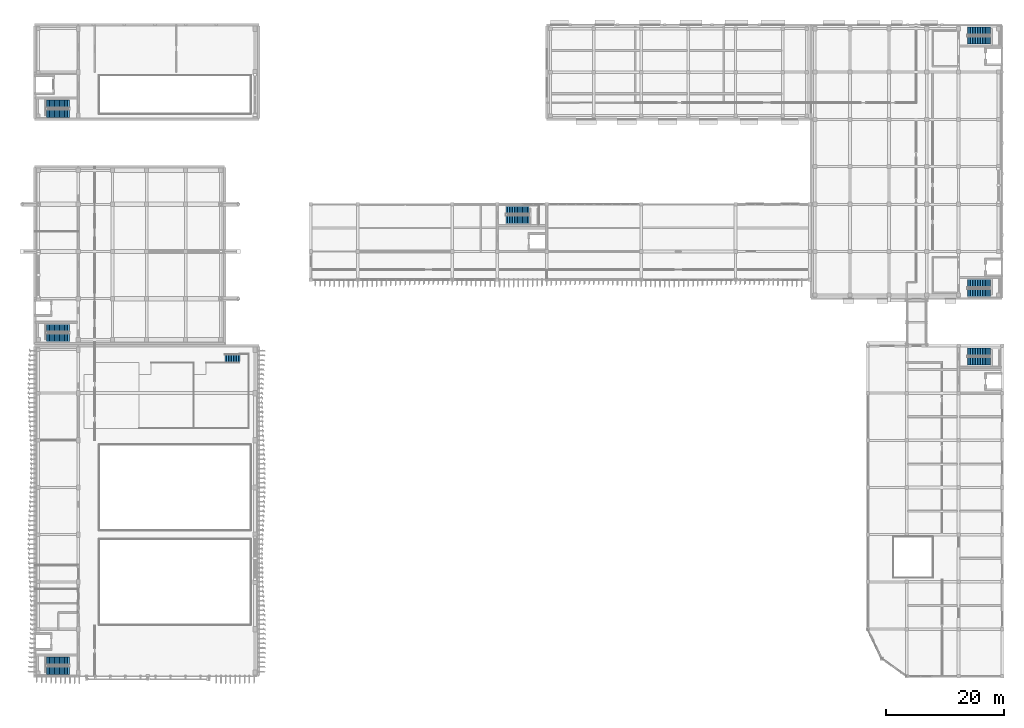
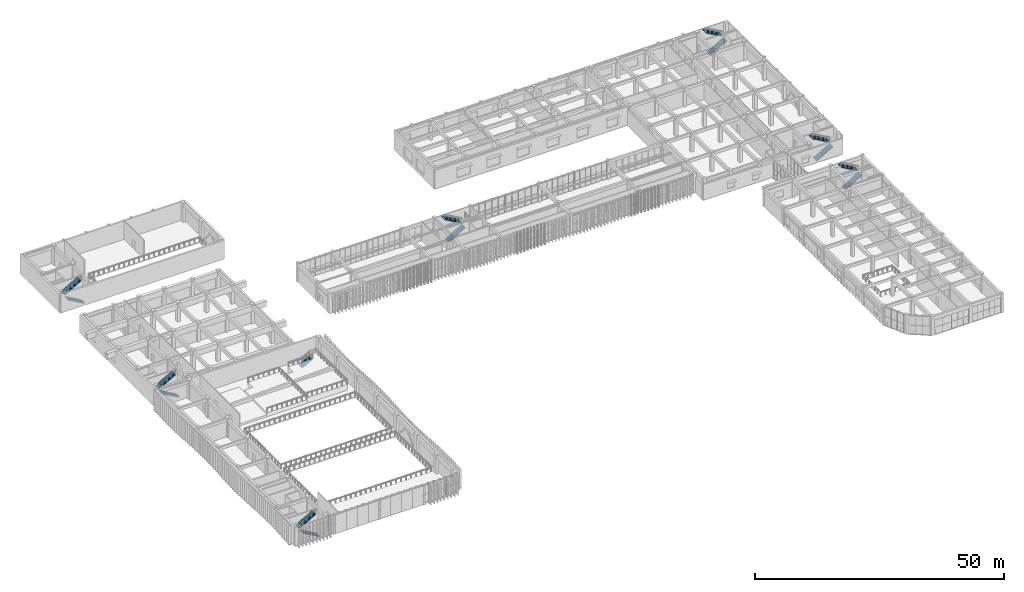
# One storey, part 46 of 64: 15 stair flights, 8 elements without a shape of their own.
"""IFC4 building model written with IfcOpenShell, lengths in metres."""

from ifc_helpers import new_model, si_unit, direction, frame, origin, place, context, subcontext, project, spatial, polyline, outline, extrude, material, type_object, element, aggregate, save


model = new_model("IFC4")

# Units and contexts
model_context = context("Model", 3, precision=1e-05, world=origin(), true_north=direction((0.0, 1.0)))
body_context = subcontext(model_context, "Body", "Model", "MODEL_VIEW")
ifc_project = project(units=[si_unit("LENGTHUNIT", "METRE"), si_unit("AREAUNIT", "SQUARE_METRE"), si_unit("VOLUMEUNIT", "CUBIC_METRE"), si_unit("PLANEANGLEUNIT", "RADIAN"), si_unit("MASSUNIT", "GRAM", prefix="KILO")], contexts=[model_context])

# Site, building, storey
site_placement = place(None, origin())
site = spatial("IfcSite", under=ifc_project, at=site_placement, CompositionType="ELEMENT")
building_placement = place(site_placement, origin())
building = spatial("IfcBuilding", under=site, at=building_placement, Name="Cinchona Park Media Centre", CompositionType="ELEMENT")
storey_placement = place(building_placement, frame((0.0, 0.0, 5.39990234375)))
storey = spatial("IfcBuildingStorey", under=building, at=storey_placement, Name="L01", CompositionType="ELEMENT", Elevation=5.39990234375)

# Stair, stair flights
ifc_material_1 = material(Name="Concrete C35/45", Category="concrete")
stair_type_1 = type_object("IfcStairType", Name="STAIR-ST1-HT48", PredefinedType="HALF_TURN_STAIR", material=ifc_material_1)
stair_1_placement = place(storey_placement, origin())
stair_1 = element("IfcStair", 1, at=stair_1_placement, inside=storey, type_object=stair_type_1, Name="Exit Stair ST1 L01", PredefinedType="HALF_TURN_STAIR")
ifc_material_2 = material(Name="Concrete C35/45", Category="concrete")
stair_flight_type_1 = type_object("IfcStairFlightType", Name="FLIGHT-ST1", PredefinedType="STRAIGHT", material=ifc_material_2)
stair_flight_1_placement = place(storey_placement, frame((166.10009765625, 72.6201171875, 0.0), z_axis=(0.0, 0.0, 1.0), x_axis=(1.0, 0.0, 0.0)))
stair_flight_1 = element("IfcStairFlight", 2, at=stair_flight_1_placement, type_object=stair_flight_type_1, Name="ST1 flight 1", NumberOfRisers=15, NumberOfTreads=14, PredefinedType="STRAIGHT", RiserHeight=0.16, TreadLength=0.28, context=body_context, shape_type="SweptSolid", body=[
    extrude(outline(polyline([(0.0, 0.0), (0.0, 0.159912109375), (0.280029296875, 0.159912109375), (0.280029296875, 0.320068359375), (0.56005859375, 0.320068359375), (0.56005859375, 0.47998046875), (0.840087890625, 0.47998046875), (0.840087890625, 0.639892578125), (1.1201171875, 0.639892578125), (1.1201171875, 0.800048828125), (1.39990234375, 0.800048828125), (1.39990234375, 0.9599609375), (1.679931640625, 0.9599609375), (1.679931640625, 1.1201171875), (1.9599609375, 1.1201171875), (1.9599609375, 1.280029296875), (2.239990234375, 1.280029296875), (2.239990234375, 1.43994140625), (2.52001953125, 1.43994140625), (2.52001953125, 1.60009765625), (2.800048828125, 1.60009765625), (2.800048828125, 1.760009765625), (3.080078125, 1.760009765625), (3.080078125, 1.919921875), (3.360107421875, 1.919921875), (3.360107421875, 2.080078125), (3.639892578125, 2.080078125), (3.639892578125, 2.239990234375), (3.919921875, 2.239990234375), (3.919921875, 2.39990234375), (3.919921875, 2.055908203125), (0.322265625, 0.0), (0.0, 0.0)])), frame((0.0, 0.68017578125, 0.0), z_axis=(0.0, -1.0, 0.0), x_axis=(1.0, 0.0, 0.0)), (0.0, 0.0, 1.0), 1.360107421875),
])
stair_flight_2_placement = place(storey_placement, frame((170.02001953125, 74.179931640625, 2.400146484375), z_axis=(0.0, 0.0, 1.0), x_axis=(-1.0, 0.0, 0.0)))
stair_flight_2 = element("IfcStairFlight", 3, at=stair_flight_2_placement, type_object=stair_flight_type_1, Name="ST1 flight 2", NumberOfRisers=15, NumberOfTreads=14, PredefinedType="STRAIGHT", RiserHeight=0.16, TreadLength=0.28, context=body_context, shape_type="SweptSolid", body=[
    extrude(outline(polyline([(0.0, 0.0), (0.0, 0.159912109375), (0.280029296875, 0.159912109375), (0.280029296875, 0.320068359375), (0.56005859375, 0.320068359375), (0.56005859375, 0.47998046875), (0.840087890625, 0.47998046875), (0.840087890625, 0.639892578125), (1.1201171875, 0.639892578125), (1.1201171875, 0.800048828125), (1.39990234375, 0.800048828125), (1.39990234375, 0.9599609375), (1.679931640625, 0.9599609375), (1.679931640625, 1.1201171875), (1.9599609375, 1.1201171875), (1.9599609375, 1.280029296875), (2.239990234375, 1.280029296875), (2.239990234375, 1.43994140625), (2.52001953125, 1.43994140625), (2.52001953125, 1.60009765625), (2.800048828125, 1.60009765625), (2.800048828125, 1.760009765625), (3.080078125, 1.760009765625), (3.080078125, 1.919921875), (3.360107421875, 1.919921875), (3.360107421875, 2.080078125), (3.639892578125, 2.080078125), (3.639892578125, 2.239990234375), (3.919921875, 2.239990234375), (3.919921875, 2.39990234375), (3.919921875, 2.055908203125), (0.322265625, 0.0), (0.0, 0.0)])), frame((0.0, 0.68017578125, 0.0), z_axis=(0.0, -1.0, 0.0), x_axis=(1.0, 0.0, 0.0)), (0.0, 0.0, 1.0), 1.360107421875),
])
aggregate(stair_1, [stair_flight_1, stair_flight_2])

ifc_material_3 = material(Name="Concrete C35/45", Category="concrete")
stair_type_2 = type_object("IfcStairType", Name="STAIR-ST2-HT48", PredefinedType="HALF_TURN_STAIR", material=ifc_material_3)
stair_2_placement = place(storey_placement, origin())
stair_2 = element("IfcStair", 4, at=stair_2_placement, inside=storey, type_object=stair_type_2, Name="Exit Stair ST2 L01", PredefinedType="HALF_TURN_STAIR")
ifc_material_4 = material(Name="Concrete C35/45", Category="concrete")
stair_flight_type_2 = type_object("IfcStairFlightType", Name="FLIGHT-ST2", PredefinedType="STRAIGHT", material=ifc_material_4)
stair_flight_3_placement = place(storey_placement, frame((166.10009765625, 115.419921875, 0.0), z_axis=(0.0, 0.0, 1.0), x_axis=(1.0, 0.0, 0.0)))
stair_flight_3 = element("IfcStairFlight", 5, at=stair_flight_3_placement, type_object=stair_flight_type_2, Name="ST2 flight 1", NumberOfRisers=15, NumberOfTreads=14, PredefinedType="STRAIGHT", RiserHeight=0.16, TreadLength=0.28, context=body_context, shape_type="SweptSolid", body=[
    extrude(outline(polyline([(0.0, 0.0), (0.0, 0.159912109375), (0.280029296875, 0.159912109375), (0.280029296875, 0.320068359375), (0.56005859375, 0.320068359375), (0.56005859375, 0.47998046875), (0.840087890625, 0.47998046875), (0.840087890625, 0.639892578125), (1.1201171875, 0.639892578125), (1.1201171875, 0.800048828125), (1.39990234375, 0.800048828125), (1.39990234375, 0.9599609375), (1.679931640625, 0.9599609375), (1.679931640625, 1.1201171875), (1.9599609375, 1.1201171875), (1.9599609375, 1.280029296875), (2.239990234375, 1.280029296875), (2.239990234375, 1.43994140625), (2.52001953125, 1.43994140625), (2.52001953125, 1.60009765625), (2.800048828125, 1.60009765625), (2.800048828125, 1.760009765625), (3.080078125, 1.760009765625), (3.080078125, 1.919921875), (3.360107421875, 1.919921875), (3.360107421875, 2.080078125), (3.639892578125, 2.080078125), (3.639892578125, 2.239990234375), (3.919921875, 2.239990234375), (3.919921875, 2.39990234375), (3.919921875, 2.055908203125), (0.322265625, 0.0), (0.0, 0.0)])), frame((0.0, 0.68017578125, 0.0), z_axis=(0.0, -1.0, 0.0), x_axis=(1.0, 0.0, 0.0)), (0.0, 0.0, 1.0), 1.360107421875),
])
stair_flight_4_placement = place(storey_placement, frame((170.02001953125, 116.97998046875, 2.400146484375), z_axis=(0.0, 0.0, 1.0), x_axis=(-1.0, 0.0, 0.0)))
stair_flight_4 = element("IfcStairFlight", 6, at=stair_flight_4_placement, type_object=stair_flight_type_2, Name="ST2 flight 2", NumberOfRisers=15, NumberOfTreads=14, PredefinedType="STRAIGHT", RiserHeight=0.16, TreadLength=0.28, context=body_context, shape_type="SweptSolid", body=[
    extrude(outline(polyline([(0.0, 0.0), (0.0, 0.159912109375), (0.280029296875, 0.159912109375), (0.280029296875, 0.320068359375), (0.56005859375, 0.320068359375), (0.56005859375, 0.47998046875), (0.840087890625, 0.47998046875), (0.840087890625, 0.639892578125), (1.1201171875, 0.639892578125), (1.1201171875, 0.800048828125), (1.39990234375, 0.800048828125), (1.39990234375, 0.9599609375), (1.679931640625, 0.9599609375), (1.679931640625, 1.1201171875), (1.9599609375, 1.1201171875), (1.9599609375, 1.280029296875), (2.239990234375, 1.280029296875), (2.239990234375, 1.43994140625), (2.52001953125, 1.43994140625), (2.52001953125, 1.60009765625), (2.800048828125, 1.60009765625), (2.800048828125, 1.760009765625), (3.080078125, 1.760009765625), (3.080078125, 1.919921875), (3.360107421875, 1.919921875), (3.360107421875, 2.080078125), (3.639892578125, 2.080078125), (3.639892578125, 2.239990234375), (3.919921875, 2.239990234375), (3.919921875, 2.39990234375), (3.919921875, 2.055908203125), (0.322265625, 0.0), (0.0, 0.0)])), frame((0.0, 0.68017578125, 0.0), z_axis=(0.0, -1.0, 0.0), x_axis=(1.0, 0.0, 0.0)), (0.0, 0.0, 1.0), 1.360107421875),
])
aggregate(stair_2, [stair_flight_3, stair_flight_4])

ifc_material_5 = material(Name="Concrete C35/45", Category="concrete")
stair_type_3 = type_object("IfcStairType", Name="STAIR-ST3-HT48", PredefinedType="HALF_TURN_STAIR", material=ifc_material_5)
stair_3_placement = place(storey_placement, origin())
stair_3 = element("IfcStair", 7, at=stair_3_placement, inside=storey, type_object=stair_type_3, Name="Exit Stair ST3 L01", PredefinedType="HALF_TURN_STAIR")
ifc_material_6 = material(Name="Concrete C35/45", Category="concrete")
stair_flight_type_3 = type_object("IfcStairFlightType", Name="FLIGHT-ST3", PredefinedType="STRAIGHT", material=ifc_material_6)
stair_flight_5_placement = place(storey_placement, frame((13.89990234375, 65.02001953125, 0.0), z_axis=(0.0, 0.0, 1.0), x_axis=(-1.0, 0.0, 0.0)))
stair_flight_5 = element("IfcStairFlight", 8, at=stair_flight_5_placement, type_object=stair_flight_type_3, Name="ST3 flight 1", NumberOfRisers=15, NumberOfTreads=14, PredefinedType="STRAIGHT", RiserHeight=0.16, TreadLength=0.28, context=body_context, shape_type="SweptSolid", body=[
    extrude(outline(polyline([(0.0, 0.0), (0.0, 0.159912109375), (0.280029296875, 0.159912109375), (0.280029296875, 0.320068359375), (0.56005859375, 0.320068359375), (0.56005859375, 0.47998046875), (0.840087890625, 0.47998046875), (0.840087890625, 0.639892578125), (1.1201171875, 0.639892578125), (1.1201171875, 0.800048828125), (1.39990234375, 0.800048828125), (1.39990234375, 0.9599609375), (1.679931640625, 0.9599609375), (1.679931640625, 1.1201171875), (1.9599609375, 1.1201171875), (1.9599609375, 1.280029296875), (2.239990234375, 1.280029296875), (2.239990234375, 1.43994140625), (2.52001953125, 1.43994140625), (2.52001953125, 1.60009765625), (2.800048828125, 1.60009765625), (2.800048828125, 1.760009765625), (3.080078125, 1.760009765625), (3.080078125, 1.919921875), (3.360107421875, 1.919921875), (3.360107421875, 2.080078125), (3.639892578125, 2.080078125), (3.639892578125, 2.239990234375), (3.919921875, 2.239990234375), (3.919921875, 2.39990234375), (3.919921875, 2.055908203125), (0.322265625, 0.0), (0.0, 0.0)])), frame((0.0, 0.68017578125, 0.0), z_axis=(0.0, -1.0, 0.0), x_axis=(1.0, 0.0, 0.0)), (0.0, 0.0, 1.0), 1.360107421875),
])
stair_flight_6_placement = place(storey_placement, frame((9.97998046875, 66.580078125, 2.400146484375), z_axis=(0.0, 0.0, 1.0), x_axis=(1.0, 0.0, 0.0)))
stair_flight_6 = element("IfcStairFlight", 9, at=stair_flight_6_placement, type_object=stair_flight_type_3, Name="ST3 flight 2", NumberOfRisers=15, NumberOfTreads=14, PredefinedType="STRAIGHT", RiserHeight=0.16, TreadLength=0.28, context=body_context, shape_type="SweptSolid", body=[
    extrude(outline(polyline([(0.0, 0.0), (0.0, 0.159912109375), (0.280029296875, 0.159912109375), (0.280029296875, 0.320068359375), (0.56005859375, 0.320068359375), (0.56005859375, 0.47998046875), (0.840087890625, 0.47998046875), (0.840087890625, 0.639892578125), (1.1201171875, 0.639892578125), (1.1201171875, 0.800048828125), (1.39990234375, 0.800048828125), (1.39990234375, 0.9599609375), (1.679931640625, 0.9599609375), (1.679931640625, 1.1201171875), (1.9599609375, 1.1201171875), (1.9599609375, 1.280029296875), (2.239990234375, 1.280029296875), (2.239990234375, 1.43994140625), (2.52001953125, 1.43994140625), (2.52001953125, 1.60009765625), (2.800048828125, 1.60009765625), (2.800048828125, 1.760009765625), (3.080078125, 1.760009765625), (3.080078125, 1.919921875), (3.360107421875, 1.919921875), (3.360107421875, 2.080078125), (3.639892578125, 2.080078125), (3.639892578125, 2.239990234375), (3.919921875, 2.239990234375), (3.919921875, 2.39990234375), (3.919921875, 2.055908203125), (0.322265625, 0.0), (0.0, 0.0)])), frame((0.0, 0.68017578125, 0.0), z_axis=(0.0, -1.0, 0.0), x_axis=(1.0, 0.0, 0.0)), (0.0, 0.0, 1.0), 1.360107421875),
])
aggregate(stair_3, [stair_flight_5, stair_flight_6])

ifc_material_7 = material(Name="Concrete C35/45", Category="concrete")
stair_type_4 = type_object("IfcStairType", Name="STAIR-ST4-HT48", PredefinedType="HALF_TURN_STAIR", material=ifc_material_7)
stair_4_placement = place(storey_placement, origin())
stair_4 = element("IfcStair", 10, at=stair_4_placement, inside=storey, type_object=stair_type_4, Name="Exit Stair ST4 L01", PredefinedType="HALF_TURN_STAIR")
ifc_material_8 = material(Name="Concrete C35/45", Category="concrete")
stair_flight_type_4 = type_object("IfcStairFlightType", Name="FLIGHT-ST4", PredefinedType="STRAIGHT", material=ifc_material_8)
stair_flight_7_placement = place(storey_placement, frame((13.89990234375, 103.02001953125, 0.0), z_axis=(0.0, 0.0, 1.0), x_axis=(-1.0, 0.0, 0.0)))
stair_flight_7 = element("IfcStairFlight", 11, at=stair_flight_7_placement, type_object=stair_flight_type_4, Name="ST4 flight 1", NumberOfRisers=15, NumberOfTreads=14, PredefinedType="STRAIGHT", RiserHeight=0.16, TreadLength=0.28, context=body_context, shape_type="SweptSolid", body=[
    extrude(outline(polyline([(0.0, 0.0), (0.0, 0.159912109375), (0.280029296875, 0.159912109375), (0.280029296875, 0.320068359375), (0.56005859375, 0.320068359375), (0.56005859375, 0.47998046875), (0.840087890625, 0.47998046875), (0.840087890625, 0.639892578125), (1.1201171875, 0.639892578125), (1.1201171875, 0.800048828125), (1.39990234375, 0.800048828125), (1.39990234375, 0.9599609375), (1.679931640625, 0.9599609375), (1.679931640625, 1.1201171875), (1.9599609375, 1.1201171875), (1.9599609375, 1.280029296875), (2.239990234375, 1.280029296875), (2.239990234375, 1.43994140625), (2.52001953125, 1.43994140625), (2.52001953125, 1.60009765625), (2.800048828125, 1.60009765625), (2.800048828125, 1.760009765625), (3.080078125, 1.760009765625), (3.080078125, 1.919921875), (3.360107421875, 1.919921875), (3.360107421875, 2.080078125), (3.639892578125, 2.080078125), (3.639892578125, 2.239990234375), (3.919921875, 2.239990234375), (3.919921875, 2.39990234375), (3.919921875, 2.055908203125), (0.322265625, 0.0), (0.0, 0.0)])), frame((0.0, 0.68017578125, 0.0), z_axis=(0.0, -1.0, 0.0), x_axis=(1.0, 0.0, 0.0)), (0.0, 0.0, 1.0), 1.360107421875),
])
stair_flight_8_placement = place(storey_placement, frame((9.97998046875, 104.580078125, 2.400146484375), z_axis=(0.0, 0.0, 1.0), x_axis=(1.0, 0.0, 0.0)))
stair_flight_8 = element("IfcStairFlight", 12, at=stair_flight_8_placement, type_object=stair_flight_type_4, Name="ST4 flight 2", NumberOfRisers=15, NumberOfTreads=14, PredefinedType="STRAIGHT", RiserHeight=0.16, TreadLength=0.28, context=body_context, shape_type="SweptSolid", body=[
    extrude(outline(polyline([(0.0, 0.0), (0.0, 0.159912109375), (0.280029296875, 0.159912109375), (0.280029296875, 0.320068359375), (0.56005859375, 0.320068359375), (0.56005859375, 0.47998046875), (0.840087890625, 0.47998046875), (0.840087890625, 0.639892578125), (1.1201171875, 0.639892578125), (1.1201171875, 0.800048828125), (1.39990234375, 0.800048828125), (1.39990234375, 0.9599609375), (1.679931640625, 0.9599609375), (1.679931640625, 1.1201171875), (1.9599609375, 1.1201171875), (1.9599609375, 1.280029296875), (2.239990234375, 1.280029296875), (2.239990234375, 1.43994140625), (2.52001953125, 1.43994140625), (2.52001953125, 1.60009765625), (2.800048828125, 1.60009765625), (2.800048828125, 1.760009765625), (3.080078125, 1.760009765625), (3.080078125, 1.919921875), (3.360107421875, 1.919921875), (3.360107421875, 2.080078125), (3.639892578125, 2.080078125), (3.639892578125, 2.239990234375), (3.919921875, 2.239990234375), (3.919921875, 2.39990234375), (3.919921875, 2.055908203125), (0.322265625, 0.0), (0.0, 0.0)])), frame((0.0, 0.68017578125, 0.0), z_axis=(0.0, -1.0, 0.0), x_axis=(1.0, 0.0, 0.0)), (0.0, 0.0, 1.0), 1.360107421875),
])
aggregate(stair_4, [stair_flight_7, stair_flight_8])

ifc_material_9 = material(Name="Concrete C35/45", Category="concrete")
stair_type_5 = type_object("IfcStairType", Name="STAIR-ST5-HT48", PredefinedType="HALF_TURN_STAIR", material=ifc_material_9)
stair_5_placement = place(storey_placement, origin())
stair_5 = element("IfcStair", 13, at=stair_5_placement, inside=storey, type_object=stair_type_5, Name="Exit Stair ST5 L01", PredefinedType="HALF_TURN_STAIR")
ifc_material_10 = material(Name="Concrete C35/45", Category="concrete")
stair_flight_type_5 = type_object("IfcStairFlightType", Name="FLIGHT-ST5", PredefinedType="STRAIGHT", material=ifc_material_10)
stair_flight_9_placement = place(storey_placement, frame((87.89990234375, 85.02001953125, 0.0), z_axis=(0.0, 0.0, 1.0), x_axis=(1.0, 0.0, 0.0)))
stair_flight_9 = element("IfcStairFlight", 14, at=stair_flight_9_placement, type_object=stair_flight_type_5, Name="ST5 flight 1", NumberOfRisers=15, NumberOfTreads=14, PredefinedType="STRAIGHT", RiserHeight=0.16, TreadLength=0.28, context=body_context, shape_type="SweptSolid", body=[
    extrude(outline(polyline([(0.0, 0.0), (0.0, 0.159912109375), (0.280029296875, 0.159912109375), (0.280029296875, 0.320068359375), (0.56005859375, 0.320068359375), (0.56005859375, 0.47998046875), (0.840087890625, 0.47998046875), (0.840087890625, 0.639892578125), (1.1201171875, 0.639892578125), (1.1201171875, 0.800048828125), (1.39990234375, 0.800048828125), (1.39990234375, 0.9599609375), (1.679931640625, 0.9599609375), (1.679931640625, 1.1201171875), (1.9599609375, 1.1201171875), (1.9599609375, 1.280029296875), (2.239990234375, 1.280029296875), (2.239990234375, 1.43994140625), (2.52001953125, 1.43994140625), (2.52001953125, 1.60009765625), (2.800048828125, 1.60009765625), (2.800048828125, 1.760009765625), (3.080078125, 1.760009765625), (3.080078125, 1.919921875), (3.360107421875, 1.919921875), (3.360107421875, 2.080078125), (3.639892578125, 2.080078125), (3.639892578125, 2.239990234375), (3.919921875, 2.239990234375), (3.919921875, 2.39990234375), (3.919921875, 2.055908203125), (0.322265625, 0.0), (0.0, 0.0)])), frame((0.0, 0.68017578125, 0.0), z_axis=(0.0, -1.0, 0.0), x_axis=(1.0, 0.0, 0.0)), (0.0, 0.0, 1.0), 1.360107421875),
])
stair_flight_10_placement = place(storey_placement, frame((91.820068359375, 86.580078125, 2.400146484375), z_axis=(0.0, 0.0, 1.0), x_axis=(-1.0, 0.0, 0.0)))
stair_flight_10 = element("IfcStairFlight", 15, at=stair_flight_10_placement, type_object=stair_flight_type_5, Name="ST5 flight 2", NumberOfRisers=15, NumberOfTreads=14, PredefinedType="STRAIGHT", RiserHeight=0.16, TreadLength=0.28, context=body_context, shape_type="SweptSolid", body=[
    extrude(outline(polyline([(0.0, 0.0), (0.0, 0.159912109375), (0.280029296875, 0.159912109375), (0.280029296875, 0.320068359375), (0.56005859375, 0.320068359375), (0.56005859375, 0.47998046875), (0.840087890625, 0.47998046875), (0.840087890625, 0.639892578125), (1.1201171875, 0.639892578125), (1.1201171875, 0.800048828125), (1.39990234375, 0.800048828125), (1.39990234375, 0.9599609375), (1.679931640625, 0.9599609375), (1.679931640625, 1.1201171875), (1.9599609375, 1.1201171875), (1.9599609375, 1.280029296875), (2.239990234375, 1.280029296875), (2.239990234375, 1.43994140625), (2.52001953125, 1.43994140625), (2.52001953125, 1.60009765625), (2.800048828125, 1.60009765625), (2.800048828125, 1.760009765625), (3.080078125, 1.760009765625), (3.080078125, 1.919921875), (3.360107421875, 1.919921875), (3.360107421875, 2.080078125), (3.639892578125, 2.080078125), (3.639892578125, 2.239990234375), (3.919921875, 2.239990234375), (3.919921875, 2.39990234375), (3.919921875, 2.055908203125), (0.322265625, 0.0), (0.0, 0.0)])), frame((0.0, 0.68017578125, 0.0), z_axis=(0.0, -1.0, 0.0), x_axis=(1.0, 0.0, 0.0)), (0.0, 0.0, 1.0), 1.360107421875),
])
aggregate(stair_5, [stair_flight_9, stair_flight_10])

ifc_material_11 = material(Name="Concrete C35/45", Category="concrete")
stair_type_6 = type_object("IfcStairType", Name="STAIR-ST6-HT48", PredefinedType="HALF_TURN_STAIR", material=ifc_material_11)
stair_6_placement = place(storey_placement, origin())
stair_6 = element("IfcStair", 16, at=stair_6_placement, inside=storey, type_object=stair_type_6, Name="Exit Stair ST6 L01", PredefinedType="HALF_TURN_STAIR")
ifc_material_12 = material(Name="Concrete C35/45", Category="concrete")
stair_flight_type_6 = type_object("IfcStairFlightType", Name="FLIGHT-ST6", PredefinedType="STRAIGHT", material=ifc_material_12)
stair_flight_11_placement = place(storey_placement, frame((13.89990234375, 8.6201171875, 0.0), z_axis=(0.0, 0.0, 1.0), x_axis=(-1.0, 0.0, 0.0)))
stair_flight_11 = element("IfcStairFlight", 17, at=stair_flight_11_placement, type_object=stair_flight_type_6, Name="ST6 flight 1", NumberOfRisers=15, NumberOfTreads=14, PredefinedType="STRAIGHT", RiserHeight=0.16, TreadLength=0.28, context=body_context, shape_type="SweptSolid", body=[
    extrude(outline(polyline([(0.0, 0.0), (0.0, 0.159912109375), (0.280029296875, 0.159912109375), (0.280029296875, 0.320068359375), (0.56005859375, 0.320068359375), (0.56005859375, 0.47998046875), (0.840087890625, 0.47998046875), (0.840087890625, 0.639892578125), (1.1201171875, 0.639892578125), (1.1201171875, 0.800048828125), (1.39990234375, 0.800048828125), (1.39990234375, 0.9599609375), (1.679931640625, 0.9599609375), (1.679931640625, 1.1201171875), (1.9599609375, 1.1201171875), (1.9599609375, 1.280029296875), (2.239990234375, 1.280029296875), (2.239990234375, 1.43994140625), (2.52001953125, 1.43994140625), (2.52001953125, 1.60009765625), (2.800048828125, 1.60009765625), (2.800048828125, 1.760009765625), (3.080078125, 1.760009765625), (3.080078125, 1.919921875), (3.360107421875, 1.919921875), (3.360107421875, 2.080078125), (3.639892578125, 2.080078125), (3.639892578125, 2.239990234375), (3.919921875, 2.239990234375), (3.919921875, 2.39990234375), (3.919921875, 2.055908203125), (0.322265625, 0.0), (0.0, 0.0)])), frame((0.0, 0.68017578125, 0.0), z_axis=(0.0, -1.0, 0.0), x_axis=(1.0, 0.0, 0.0)), (0.0, 0.0, 1.0), 1.360107421875),
])
stair_flight_12_placement = place(storey_placement, frame((9.97998046875, 10.179931640625, 2.400146484375), z_axis=(0.0, 0.0, 1.0), x_axis=(1.0, 0.0, 0.0)))
stair_flight_12 = element("IfcStairFlight", 18, at=stair_flight_12_placement, type_object=stair_flight_type_6, Name="ST6 flight 2", NumberOfRisers=15, NumberOfTreads=14, PredefinedType="STRAIGHT", RiserHeight=0.16, TreadLength=0.28, context=body_context, shape_type="SweptSolid", body=[
    extrude(outline(polyline([(0.0, 0.0), (0.0, 0.159912109375), (0.280029296875, 0.159912109375), (0.280029296875, 0.320068359375), (0.56005859375, 0.320068359375), (0.56005859375, 0.47998046875), (0.840087890625, 0.47998046875), (0.840087890625, 0.639892578125), (1.1201171875, 0.639892578125), (1.1201171875, 0.800048828125), (1.39990234375, 0.800048828125), (1.39990234375, 0.9599609375), (1.679931640625, 0.9599609375), (1.679931640625, 1.1201171875), (1.9599609375, 1.1201171875), (1.9599609375, 1.280029296875), (2.239990234375, 1.280029296875), (2.239990234375, 1.43994140625), (2.52001953125, 1.43994140625), (2.52001953125, 1.60009765625), (2.800048828125, 1.60009765625), (2.800048828125, 1.760009765625), (3.080078125, 1.760009765625), (3.080078125, 1.919921875), (3.360107421875, 1.919921875), (3.360107421875, 2.080078125), (3.639892578125, 2.080078125), (3.639892578125, 2.239990234375), (3.919921875, 2.239990234375), (3.919921875, 2.39990234375), (3.919921875, 2.055908203125), (0.322265625, 0.0), (0.0, 0.0)])), frame((0.0, 0.68017578125, 0.0), z_axis=(0.0, -1.0, 0.0), x_axis=(1.0, 0.0, 0.0)), (0.0, 0.0, 1.0), 1.360107421875),
])
aggregate(stair_6, [stair_flight_11, stair_flight_12])

ifc_material_13 = material(Name="Concrete C35/45", Category="concrete")
stair_type_7 = type_object("IfcStairType", Name="STAIR-ST7-HT48", PredefinedType="HALF_TURN_STAIR", material=ifc_material_13)
stair_7_placement = place(storey_placement, origin())
stair_7 = element("IfcStair", 19, at=stair_7_placement, inside=storey, type_object=stair_type_7, Name="Exit Stair ST7 L01", PredefinedType="HALF_TURN_STAIR")
ifc_material_14 = material(Name="Concrete C35/45", Category="concrete")
stair_flight_type_7 = type_object("IfcStairFlightType", Name="FLIGHT-ST7", PredefinedType="STRAIGHT", material=ifc_material_14)
stair_flight_13_placement = place(storey_placement, frame((166.10009765625, 61.02001953125, 0.0), z_axis=(0.0, 0.0, 1.0), x_axis=(1.0, 0.0, 0.0)))
stair_flight_13 = element("IfcStairFlight", 20, at=stair_flight_13_placement, type_object=stair_flight_type_7, Name="ST7 flight 1", NumberOfRisers=15, NumberOfTreads=14, PredefinedType="STRAIGHT", RiserHeight=0.16, TreadLength=0.28, context=body_context, shape_type="SweptSolid", body=[
    extrude(outline(polyline([(0.0, 0.0), (0.0, 0.159912109375), (0.280029296875, 0.159912109375), (0.280029296875, 0.320068359375), (0.56005859375, 0.320068359375), (0.56005859375, 0.47998046875), (0.840087890625, 0.47998046875), (0.840087890625, 0.639892578125), (1.1201171875, 0.639892578125), (1.1201171875, 0.800048828125), (1.39990234375, 0.800048828125), (1.39990234375, 0.9599609375), (1.679931640625, 0.9599609375), (1.679931640625, 1.1201171875), (1.9599609375, 1.1201171875), (1.9599609375, 1.280029296875), (2.239990234375, 1.280029296875), (2.239990234375, 1.43994140625), (2.52001953125, 1.43994140625), (2.52001953125, 1.60009765625), (2.800048828125, 1.60009765625), (2.800048828125, 1.760009765625), (3.080078125, 1.760009765625), (3.080078125, 1.919921875), (3.360107421875, 1.919921875), (3.360107421875, 2.080078125), (3.639892578125, 2.080078125), (3.639892578125, 2.239990234375), (3.919921875, 2.239990234375), (3.919921875, 2.39990234375), (3.919921875, 2.055908203125), (0.322265625, 0.0), (0.0, 0.0)])), frame((0.0, 0.68017578125, 0.0), z_axis=(0.0, -1.0, 0.0), x_axis=(1.0, 0.0, 0.0)), (0.0, 0.0, 1.0), 1.360107421875),
])
stair_flight_14_placement = place(storey_placement, frame((170.02001953125, 62.580078125, 2.400146484375), z_axis=(0.0, 0.0, 1.0), x_axis=(-1.0, 0.0, 0.0)))
stair_flight_14 = element("IfcStairFlight", 21, at=stair_flight_14_placement, type_object=stair_flight_type_7, Name="ST7 flight 2", NumberOfRisers=15, NumberOfTreads=14, PredefinedType="STRAIGHT", RiserHeight=0.16, TreadLength=0.28, context=body_context, shape_type="SweptSolid", body=[
    extrude(outline(polyline([(0.0, 0.0), (0.0, 0.159912109375), (0.280029296875, 0.159912109375), (0.280029296875, 0.320068359375), (0.56005859375, 0.320068359375), (0.56005859375, 0.47998046875), (0.840087890625, 0.47998046875), (0.840087890625, 0.639892578125), (1.1201171875, 0.639892578125), (1.1201171875, 0.800048828125), (1.39990234375, 0.800048828125), (1.39990234375, 0.9599609375), (1.679931640625, 0.9599609375), (1.679931640625, 1.1201171875), (1.9599609375, 1.1201171875), (1.9599609375, 1.280029296875), (2.239990234375, 1.280029296875), (2.239990234375, 1.43994140625), (2.52001953125, 1.43994140625), (2.52001953125, 1.60009765625), (2.800048828125, 1.60009765625), (2.800048828125, 1.760009765625), (3.080078125, 1.760009765625), (3.080078125, 1.919921875), (3.360107421875, 1.919921875), (3.360107421875, 2.080078125), (3.639892578125, 2.080078125), (3.639892578125, 2.239990234375), (3.919921875, 2.239990234375), (3.919921875, 2.39990234375), (3.919921875, 2.055908203125), (0.322265625, 0.0), (0.0, 0.0)])), frame((0.0, 0.68017578125, 0.0), z_axis=(0.0, -1.0, 0.0), x_axis=(1.0, 0.0, 0.0)), (0.0, 0.0, 1.0), 1.360107421875),
])
aggregate(stair_7, [stair_flight_13, stair_flight_14])

# Stair, stair flight
ifc_material_15 = material(Name="Concrete C35/45", Category="concrete")
stair_type_8 = type_object("IfcStairType", Name="STAIR-SVM3", PredefinedType="STRAIGHT_RUN_STAIR", material=ifc_material_15)
stair_8_placement = place(storey_placement, origin())
stair_8 = element("IfcStair", 22, at=stair_8_placement, inside=storey, type_object=stair_type_8, Name="Auditorium Vomitory Stair SVM3 L01", PredefinedType="STRAIGHT_RUN_STAIR")
ifc_material_16 = material(Name="Concrete C35/45", Category="concrete")
stair_flight_type_8 = type_object("IfcStairFlightType", Name="FLIGHT-SVM3", PredefinedType="STRAIGHT", material=ifc_material_16)
stair_flight_15_placement = place(storey_placement, frame((40.280029296875, 61.550048828125, 0.0), z_axis=(0.0, 0.0, 1.0), x_axis=(1.0, 0.0, 0.0)))
stair_flight_15 = element("IfcStairFlight", 23, at=stair_flight_15_placement, type_object=stair_flight_type_8, Name="SVM3 flight 1", NumberOfRisers=10, NumberOfTreads=9, PredefinedType="STRAIGHT", RiserHeight=0.144, TreadLength=0.28, context=body_context, shape_type="SweptSolid", body=[
    extrude(outline(polyline([(0.0, 0.0), (0.0, 0.14404296875), (0.280029296875, 0.14404296875), (0.280029296875, 0.2880859375), (0.56005859375, 0.2880859375), (0.56005859375, 0.431884765625), (0.840087890625, 0.431884765625), (0.840087890625, 0.575927734375), (1.1201171875, 0.575927734375), (1.1201171875, 0.719970703125), (1.39990234375, 0.719970703125), (1.39990234375, 0.864013671875), (1.679931640625, 0.864013671875), (1.679931640625, 1.008056640625), (1.9599609375, 1.008056640625), (1.9599609375, 1.152099609375), (2.239990234375, 1.152099609375), (2.239990234375, 1.2958984375), (2.52001953125, 1.2958984375), (2.52001953125, 1.43994140625), (2.52001953125, 1.1162109375), (0.349609375, 0.0), (0.0, 0.0)])), frame((0.0, 0.64990234375, 0.0), z_axis=(0.0, -1.0, 0.0), x_axis=(1.0, 0.0, 0.0)), (0.0, 0.0, 1.0), 1.300048828125),
])
aggregate(stair_8, [stair_flight_15])

save(model, "model.ifc")
